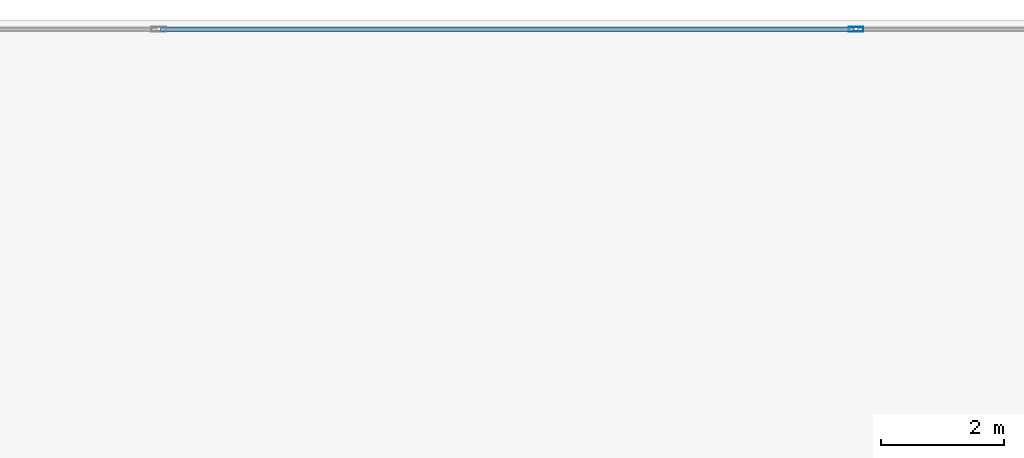
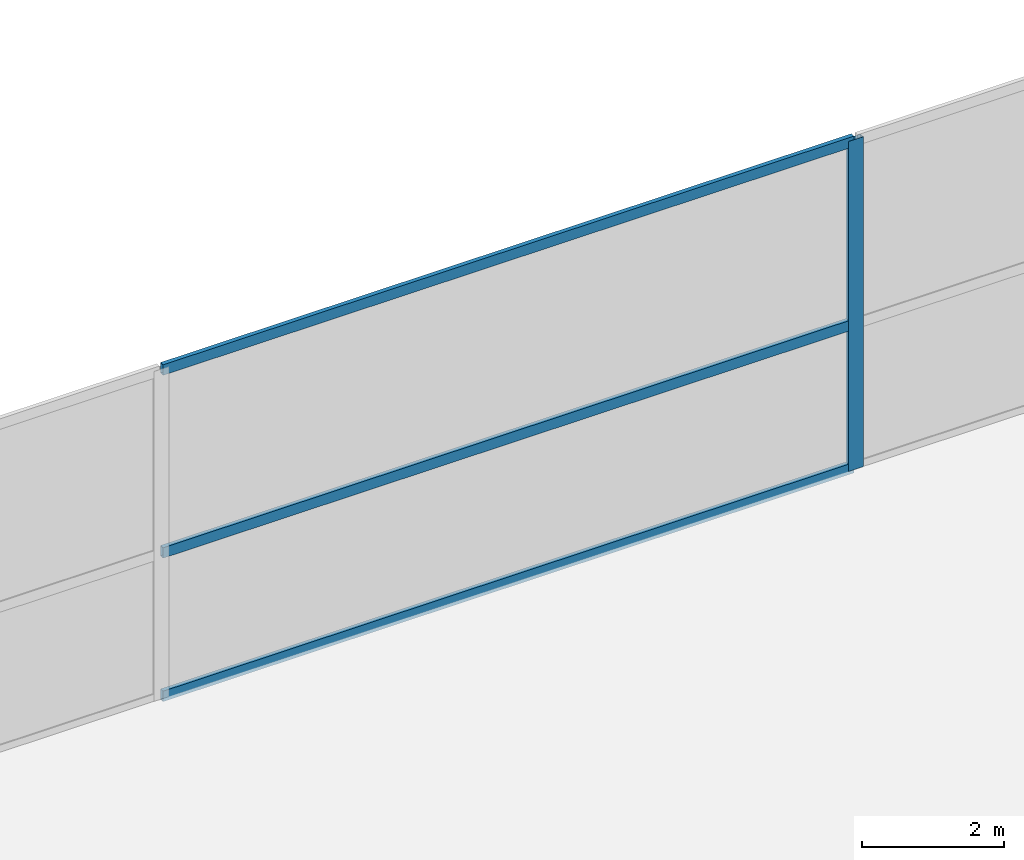
# One storey, part 17 of 35: 4 members, 1 element without a shape of its own.
"""IFC4 building model written with IfcOpenShell, lengths in metres."""

from ifc_helpers import new_model, si_unit, direction, frame, origin, origin_2d, place, context, subcontext, project, spatial, hollow_rectangle, extrude, material, layer, layer_set, material_profile, profile_set, type_object, element, aggregate, save


model = new_model("IFC4")

# Units and contexts
model_context = context("Model", 3, precision=1e-05, world=origin(), true_north=direction((0.0, 1.0)))
body_context = subcontext(model_context, "Body", "Model", "MODEL_VIEW")
ifc_project = project(units=[si_unit("LENGTHUNIT", "METRE"), si_unit("AREAUNIT", "SQUARE_METRE"), si_unit("VOLUMEUNIT", "CUBIC_METRE"), si_unit("PLANEANGLEUNIT", "RADIAN"), si_unit("MASSUNIT", "GRAM", prefix="KILO")], contexts=[model_context])

# Site, building, storey
site_placement = place(None, origin())
site = spatial("IfcSite", under=ifc_project, at=site_placement, CompositionType="ELEMENT")
building_placement = place(site_placement, origin())
building = spatial("IfcBuilding", under=site, at=building_placement, Name="Calvorn Quay Hotel", CompositionType="ELEMENT")
storey_placement = place(building_placement, frame((0.0, 0.0, 6.0)))
storey = spatial("IfcBuildingStorey", under=building, at=storey_placement, Name="L01", CompositionType="ELEMENT", Elevation=6.0)

# Curtain wall, members
ifc_material_1 = material(Name="Pale Anodised Aluminium and Low-E Glass", Category="aluminium")
ifc_layer = layer(ifc_material_1, 0.219970703125)
ifc_layer_set = layer_set([ifc_layer], Name="CW-SYS-POD")
curtain_wall_type = type_object("IfcCurtainWallType", Name="CW-SYS-POD", PredefinedType="NOTDEFINED", material=ifc_layer_set)
curtain_wall_placement = place(storey_placement, origin())
curtain_wall = element("IfcCurtainWall", 1, at=curtain_wall_placement, inside=storey, type_object=curtain_wall_type, Name="Podium Curtain Wall L01-N1", PredefinedType="NOTDEFINED")
ifc_material_2 = material(Name="Pale Anodised Aluminium 6063-T6", Category="aluminium")
ifc_material_profile_1 = material_profile(ifc_material_2, hollow_rectangle(XDim=0.080078125, YDim=0.239990234375, WallThickness=0.0048828125, at=origin_2d()), Name="ALU-M240x80x5")
ifc_profile_set_1 = profile_set([ifc_material_profile_1], Name="Pale Anodised Aluminium 6063-T6")
member_type_1 = type_object("IfcMemberType", Name="CW-SYS-POD-MUL", PredefinedType="MULLION", material=ifc_profile_set_1)
member_1_placement = place(storey_placement, frame((25.028564453125, 57.85009765625, 0.0), z_axis=(0.0, 0.0, 1.0), x_axis=(0.0, 1.0, 0.0)))
member_1 = element("IfcMember", 2, at=member_1_placement, type_object=member_type_1, Name="CW-L01-N1 mullion 3", PredefinedType="MULLION", context=body_context, shape_type="SweptSolid", body=[
    extrude(hollow_rectangle(XDim=0.080078125, YDim=0.239990234375, WallThickness=0.0048828125, at=origin_2d()), origin(), (0.0, 0.0, 1.0), 5.679931640625),
])
ifc_material_3 = material(Name="Pale Anodised Aluminium 6063-T6", Category="aluminium")
ifc_material_profile_2 = material_profile(ifc_material_3, hollow_rectangle(XDim=0.070068359375, YDim=0.179931640625, WallThickness=0.00390625, at=origin_2d()), Name="ALU-T180x70x4")
ifc_profile_set_2 = profile_set([ifc_material_profile_2], Name="Pale Anodised Aluminium 6063-T6")
member_type_2 = type_object("IfcMemberType", Name="CW-SYS-POD-TRN", PredefinedType="USERDEFINED", material=ifc_profile_set_2)
member_2_placement = place(storey_placement, frame((13.744384765625, 57.85009765625, 0.030029296875), z_axis=(1.0, 0.0, 0.0), x_axis=(0.0, 1.0, 0.0)))
member_2 = element("IfcMember", 3, at=member_2_placement, type_object=member_type_2, Name="CW-L01-N1 transom 2.1", ObjectType="TRANSOM", PredefinedType="USERDEFINED", context=body_context, shape_type="SweptSolid", body=[
    extrude(hollow_rectangle(XDim=0.070068359375, YDim=0.179931640625, WallThickness=0.00390625, at=origin_2d()), origin(), (0.0, 0.0, 1.0), 11.254150390625),
])
member_3_placement = place(storey_placement, frame((13.744384765625, 57.85009765625, 2.5), z_axis=(1.0, 0.0, 0.0), x_axis=(0.0, 1.0, 0.0)))
member_3 = element("IfcMember", 4, at=member_3_placement, type_object=member_type_2, Name="CW-L01-N1 transom 2.2", ObjectType="TRANSOM", PredefinedType="USERDEFINED", context=body_context, shape_type="SweptSolid", body=[
    extrude(hollow_rectangle(XDim=0.070068359375, YDim=0.179931640625, WallThickness=0.00390625, at=origin_2d()), origin(), (0.0, 0.0, 1.0), 11.254150390625),
])
member_4_placement = place(storey_placement, frame((13.744384765625, 57.85009765625, 5.64990234375), z_axis=(1.0, 0.0, 0.0), x_axis=(0.0, 1.0, 0.0)))
member_4 = element("IfcMember", 5, at=member_4_placement, type_object=member_type_2, Name="CW-L01-N1 transom 2.3", ObjectType="TRANSOM", PredefinedType="USERDEFINED", context=body_context, shape_type="SweptSolid", body=[
    extrude(hollow_rectangle(XDim=0.070068359375, YDim=0.179931640625, WallThickness=0.00390625, at=origin_2d()), origin(), (0.0, 0.0, 1.0), 11.254150390625),
])
aggregate(curtain_wall, [member_1, member_2, member_3, member_4])

save(model, "model.ifc")
